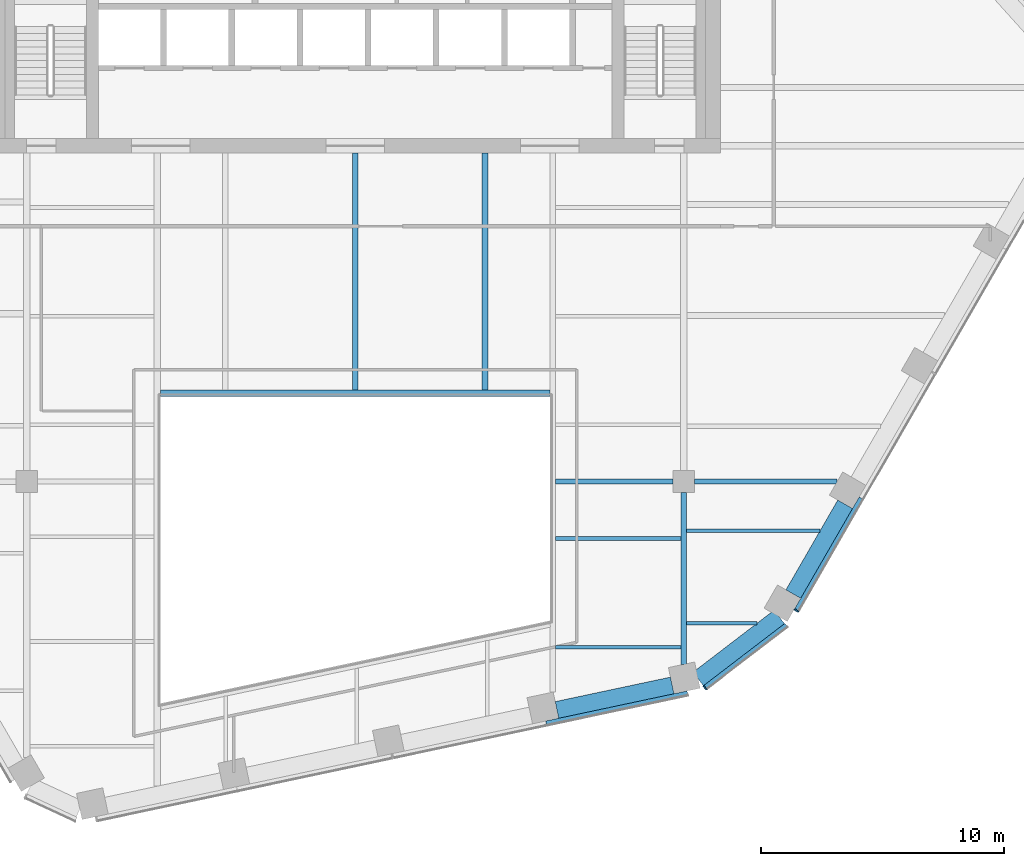
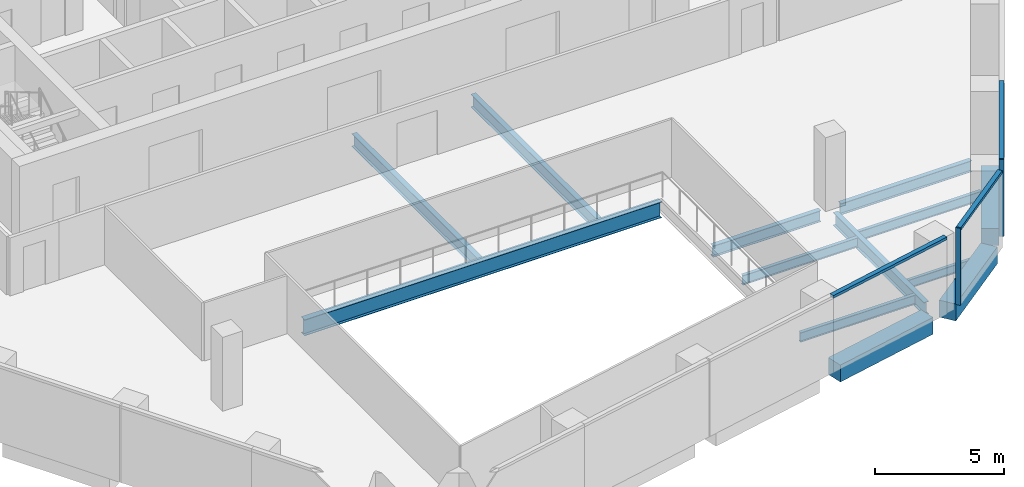
# One storey, part 4 of 15: 13 beams, 5 members, 3 elements without a shape of their own.
"""IFC4 building model written with IfcOpenShell, lengths in metres."""

from ifc_helpers import new_model, si_unit, direction, frame, origin, origin_2d, place, context, subcontext, project, spatial, rectangle, i_section, extrude, material, layer, layer_set, material_profile, profile_set, type_object, element, aggregate, save


model = new_model("IFC4")

# Units and contexts
model_context = context("Model", 3, precision=1e-05, world=origin(), true_north=direction((0.0, 1.0)))
body_context = subcontext(model_context, "Body", "Model", "MODEL_VIEW")
ifc_project = project(units=[si_unit("LENGTHUNIT", "METRE"), si_unit("AREAUNIT", "SQUARE_METRE"), si_unit("VOLUMEUNIT", "CUBIC_METRE"), si_unit("PLANEANGLEUNIT", "RADIAN"), si_unit("MASSUNIT", "GRAM", prefix="KILO")], contexts=[model_context])

# Site, building, storey
site_placement = place(None, origin())
site = spatial("IfcSite", under=ifc_project, at=site_placement, CompositionType="ELEMENT")
building_placement = place(site_placement, origin())
building = spatial("IfcBuilding", under=site, at=building_placement, Name="Isthmus Gate Tower", CompositionType="ELEMENT")
storey_placement = place(building_placement, frame((0.0, 0.0, 227.25)))
storey = spatial("IfcBuildingStorey", under=building, at=storey_placement, Name="L57", CompositionType="ELEMENT", Elevation=227.25)

# Curtain wall, member
ifc_material_1 = material(Name="Aluminium, pale champagne anodised", Category="aluminium")
ifc_layer = layer(ifc_material_1, 0.199951171875)
ifc_layer_set = layer_set([ifc_layer], Name="CW-1 UNITISED CURTAIN WALL 200 DEEP")
curtain_wall_type = type_object("IfcCurtainWallType", Name="CW-1 UNITISED CURTAIN WALL 200 DEEP", PredefinedType="NOTDEFINED", material=ifc_layer_set)
curtain_wall_1_placement = place(storey_placement, origin())
curtain_wall_1 = element("IfcCurtainWall", 1, at=curtain_wall_1_placement, inside=storey, type_object=curtain_wall_type, Name="CW-1 S-SE L57", PredefinedType="NOTDEFINED")
ifc_material_2 = material(Name="Aluminium, pale champagne anodised", Category="aluminium")
ifc_material_profile_1 = material_profile(ifc_material_2, rectangle(XDim=0.06005859375, YDim=0.199951171875, at=origin_2d()), Name="60x200")
ifc_profile_set_1 = profile_set([ifc_material_profile_1], Name="Aluminium, pale champagne anodised")
member_type_1 = type_object("IfcMemberType", Name="CW-1 MULLION 60 X 200", PredefinedType="MULLION", material=ifc_profile_set_1)
member_1_placement = place(storey_placement, frame((14.3720703125, -21.961669921875, 0.0), z_axis=(0.0, 0.0, 1.0), x_axis=(0.794188594387, 0.607671355706, 0.0)))
member_1 = element("IfcMember", 2, at=member_1_placement, type_object=member_type_1, Name="CW-1 mullion", PredefinedType="MULLION", context=body_context, shape_type="SweptSolid", body=[
    extrude(rectangle(XDim=0.06005859375, YDim=0.199951171875, at=origin_2d()), origin(), (0.0, 0.0, 1.0), 3.64990234375),
])

curtain_wall_2_placement = place(storey_placement, origin())
curtain_wall_2 = element("IfcCurtainWall", 3, at=curtain_wall_2_placement, inside=storey, type_object=curtain_wall_type, Name="CW-1 SE L57", PredefinedType="NOTDEFINED")
member_2_placement = place(storey_placement, frame((18.131591796875, -18.794921875, 0.0), z_axis=(0.0, 0.0, 1.0), x_axis=(0.5, 0.866025403784, 0.0)))
member_2 = element("IfcMember", 4, at=member_2_placement, type_object=member_type_1, Name="CW-1 mullion", PredefinedType="MULLION", context=body_context, shape_type="SweptSolid", body=[
    extrude(rectangle(XDim=0.06005859375, YDim=0.199951171875, at=origin_2d()), origin(), (0.0, 0.0, 1.0), 3.64990234375),
])

curtain_wall_3_placement = place(storey_placement, origin())
curtain_wall_3 = element("IfcCurtainWall", 5, at=curtain_wall_3_placement, inside=storey, type_object=curtain_wall_type, Name="CW-1 S L57", PredefinedType="NOTDEFINED")
ifc_material_3 = material(Name="Aluminium, pale champagne anodised", Category="aluminium")
ifc_material_profile_2 = material_profile(ifc_material_3, rectangle(XDim=0.199951171875, YDim=0.1298828125, at=origin_2d()), Name="200x130")
ifc_profile_set_2 = profile_set([ifc_material_profile_2], Name="Aluminium, pale champagne anodised")
member_type_2 = type_object("IfcMemberType", Name="CW-1 TRANSOM 200 X 130", PredefinedType="USERDEFINED", material=ifc_profile_set_2)
member_3_placement = place(storey_placement, frame((7.844970703125, -23.434814453125, 3.5849609375), z_axis=(0.978148616043, 0.207906914105, 0.0), x_axis=(-0.207906914105, 0.978148616043, 0.0)))
member_3 = element("IfcMember", 6, at=member_3_placement, type_object=member_type_2, Name="CW-1 transom", ObjectType="TRANSOM", PredefinedType="USERDEFINED", context=body_context, shape_type="SweptSolid", body=[
    extrude(rectangle(XDim=0.199951171875, YDim=0.1298828125, at=origin_2d()), origin(), (0.0, 0.0, 1.0), 5.94189453125),
])
aggregate(curtain_wall_3, [member_3])

# Member
member_4_placement = place(storey_placement, frame((14.39599609375, -21.943603515625, 3.5849609375), z_axis=(0.794175498212, 0.607688471209, 0.0), x_axis=(-0.607688471209, 0.794175498212, 0.0)))
member_4 = element("IfcMember", 7, at=member_4_placement, type_object=member_type_2, Name="CW-1 transom", ObjectType="TRANSOM", PredefinedType="USERDEFINED", context=body_context, shape_type="SweptSolid", body=[
    extrude(rectangle(XDim=0.199951171875, YDim=0.1298828125, at=origin_2d()), origin(), (0.0, 0.0, 1.0), 4.181396484375),
])

aggregate(curtain_wall_1, [member_1, member_4])

member_5_placement = place(storey_placement, frame((18.146728515625, -18.76904296875, 3.5849609375), z_axis=(0.499968318869, 0.866043694121, 0.0), x_axis=(-0.866043694121, 0.499968318869, 0.0)))
member_5 = element("IfcMember", 8, at=member_5_placement, type_object=member_type_2, Name="CW-1 transom", ObjectType="TRANSOM", PredefinedType="USERDEFINED", context=body_context, shape_type="SweptSolid", body=[
    extrude(rectangle(XDim=0.199951171875, YDim=0.1298828125, at=origin_2d()), origin(), (0.0, 0.0, 1.0), 5.300537109375),
])

aggregate(curtain_wall_2, [member_2, member_5])

# Beams
ifc_material_4 = material(Name="Concrete f'c 50 MPa", Category="concrete")
ifc_material_profile_3 = material_profile(ifc_material_4, rectangle(XDim=0.699951171875, YDim=0.800048828125, at=origin_2d()), Name="RC 700X800")
ifc_profile_set_3 = profile_set([ifc_material_profile_3], Name="Concrete f'c 50 MPa")
beam_type_1 = type_object("IfcBeamType", Name="RC SPANDREL 700 X 800", PredefinedType="SPANDREL", material=ifc_profile_set_3)
beam_1_placement = place(storey_placement, frame((20.13232421875, -14.429931640625, -0.39990234375), z_axis=(-0.500021719575, -0.866012863619, 0.0), x_axis=(0.866012863619, -0.500021719575, 0.0)))
element("IfcBeam", 9, at=beam_1_placement, inside=storey, type_object=beam_type_1, Name="str-spandrel-L57-09", PredefinedType="SPANDREL", context=body_context, shape_type="SweptSolid", body=[
    extrude(rectangle(XDim=0.699951171875, YDim=0.800048828125, at=origin_2d()), origin(), (0.0, 0.0, 1.0), 4.260498046875),
])
beam_2_placement = place(storey_placement, frame((17.4267578125, -19.057861328125, -0.39990234375), z_axis=(-0.794182771845, -0.60767896533, 0.0), x_axis=(0.60767896533, -0.794182771845, 0.0)))
element("IfcBeam", 10, at=beam_2_placement, inside=storey, type_object=beam_type_1, Name="str-spandrel-L57-10", PredefinedType="SPANDREL", context=body_context, shape_type="SweptSolid", body=[
    extrude(rectangle(XDim=0.699951171875, YDim=0.800048828125, at=origin_2d()), origin(), (0.0, 0.0, 1.0), 4.19677734375),
])
beam_3_placement = place(storey_placement, frame((13.025390625, -21.87353515625, -0.39990234375), z_axis=(-0.978151545833, -0.207893129722, 0.0), x_axis=(0.207893129722, -0.978151545833, 0.0)))
element("IfcBeam", 11, at=beam_3_placement, inside=storey, type_object=beam_type_1, Name="str-spandrel-L57-11", PredefinedType="SPANDREL", context=body_context, shape_type="SweptSolid", body=[
    extrude(rectangle(XDim=0.699951171875, YDim=0.800048828125, at=origin_2d()), origin(), (0.0, 0.0, 1.0), 4.841796875),
])
ifc_material_5 = material(Name="Structural steel ASTM A992 Gr 50", Category="steel")
ifc_material_profile_4 = material_profile(ifc_material_5, i_section(OverallWidth=0.1396484375, OverallDepth=0.4033203125, WebThickness=0.00634765625, FlangeThickness=0.010986328125, at=origin_2d()), Name="W16X31")
ifc_profile_set_4 = profile_set([ifc_material_profile_4], Name="Structural steel ASTM A992 Gr 50")
beam_type_2 = type_object("IfcBeamType", Name="STEEL FLOOR BEAM W16X31", PredefinedType="JOIST", material=ifc_profile_set_4)
beam_4_placement = place(storey_placement, frame((13.6142578125, -19.322998046875, -0.3515625), z_axis=(1.0, 0.0, 0.0), x_axis=(0.0, 1.0, 0.0)))
element("IfcBeam", 12, at=beam_4_placement, inside=storey, type_object=beam_type_2, Name="str-beam-L57-11-00", PredefinedType="JOIST", context=body_context, shape_type="SweptSolid", body=[
    extrude(i_section(OverallWidth=0.1396484375, OverallDepth=0.4033203125, WebThickness=0.00634765625, FlangeThickness=0.010986328125, at=origin_2d()), origin(), (0.0, 0.0, 1.0), 2.889892578125),
])
ifc_material_6 = material(Name="Structural steel ASTM A992 Gr 50", Category="steel")
ifc_material_profile_5 = material_profile(ifc_material_6, i_section(OverallWidth=0.15234375, OverallDepth=0.45068359375, WebThickness=0.0078125, FlangeThickness=0.010986328125, at=origin_2d()), Name="W18X35")
ifc_profile_set_5 = profile_set([ifc_material_profile_5], Name="Structural steel ASTM A992 Gr 50")
beam_type_3 = type_object("IfcBeamType", Name="STEEL FLOOR BEAM W18X35", PredefinedType="JOIST", material=ifc_profile_set_5)
for number, where, z_axis, x_axis, name in (
    (13, (8.228515625, -20.3046875, -0.37548828125), (1.0, 0.0, 0.0), (0.0, 1.0, 0.0), "str-beam-L57-09-00"),
    (14, (8.228515625, -15.838134765625, -0.37548828125), (1.0, 0.0, 0.0), (0.0, 1.0, 0.0), "str-beam-L57-09-01"),
):
    element("IfcBeam", number, at=place(storey_placement, frame(where, z_axis=z_axis, x_axis=x_axis)), inside=storey, type_object=beam_type_3, Name=name, PredefinedType="JOIST", context=body_context, shape_type="SweptSolid", body=[
        extrude(i_section(OverallWidth=0.15234375, OverallDepth=0.45068359375, WebThickness=0.0078125, FlangeThickness=0.010986328125, at=origin_2d()), origin(), (0.0, 0.0, 1.0), 5.1572265625),
    ])
beam_5_placement = place(storey_placement, frame((13.6142578125, -15.5107421875, -0.37548828125), z_axis=(1.0, 0.0, 0.0), x_axis=(0.0, 1.0, 0.0)))
element("IfcBeam", 15, at=beam_5_placement, inside=storey, type_object=beam_type_3, Name="str-beam-L57-11-01", PredefinedType="JOIST", context=body_context, shape_type="SweptSolid", body=[
    extrude(i_section(OverallWidth=0.15234375, OverallDepth=0.45068359375, WebThickness=0.0078125, FlangeThickness=0.010986328125, at=origin_2d()), origin(), (0.0, 0.0, 1.0), 5.48974609375),
])
ifc_material_7 = material(Name="Structural steel ASTM A992 Gr 50", Category="steel")
ifc_material_profile_6 = material_profile(ifc_material_7, i_section(OverallWidth=0.228515625, OverallDepth=0.603271484375, WebThickness=0.010986328125, FlangeThickness=0.014404296875, at=origin_2d()), Name="W24X68")
ifc_profile_set_6 = profile_set([ifc_material_profile_6], Name="Structural steel ASTM A992 Gr 50")
beam_type_4 = type_object("IfcBeamType", Name="STEEL FLOOR BEAM W24X68", PredefinedType="JOIST", material=ifc_profile_set_6)
for number, where, z_axis, x_axis, name in (
    (16, (0.0, -9.7333984375, -0.45166015625), (0.0, 1.0, 0.0), (-1.0, 0.0, 0.0), "str-beam-L57-07-01"),
    (17, (5.333251953125, -9.7333984375, -0.45166015625), (0.0, 1.0, 0.0), (-1.0, 0.0, 0.0), "str-beam-L57-07-02"),
):
    element("IfcBeam", number, at=place(storey_placement, frame(where, z_axis=z_axis, x_axis=x_axis)), inside=storey, type_object=beam_type_4, Name=name, PredefinedType="JOIST", context=body_context, shape_type="SweptSolid", body=[
        extrude(i_section(OverallWidth=0.228515625, OverallDepth=0.603271484375, WebThickness=0.010986328125, FlangeThickness=0.014404296875, at=origin_2d()), origin(), (0.0, 0.0, 1.0), 9.7333984375),
    ])
ifc_material_8 = material(Name="Structural steel ASTM A992 Gr 50", Category="steel")
ifc_material_profile_7 = material_profile(ifc_material_8, i_section(OverallWidth=0.20947265625, OverallDepth=0.533447265625, WebThickness=0.009521484375, FlangeThickness=0.015869140625, at=origin_2d()), Name="W21X62")
ifc_profile_set_7 = profile_set([ifc_material_profile_7], Name="Structural steel ASTM A992 Gr 50")
beam_type_5 = type_object("IfcBeamType", Name="STEEL GIRDER W21X62", PredefinedType="BEAM", material=ifc_profile_set_7)
beam_6_placement = place(storey_placement, frame((8.228515625, -13.5, -0.416748046875), z_axis=(1.0, 0.0, 0.0), x_axis=(0.0, 1.0, 0.0)))
element("IfcBeam", 18, at=beam_6_placement, inside=storey, type_object=beam_type_5, Name="str-girder-L57-03", PredefinedType="BEAM", context=body_context, shape_type="SweptSolid", body=[
    extrude(i_section(OverallWidth=0.20947265625, OverallDepth=0.533447265625, WebThickness=0.009521484375, FlangeThickness=0.015869140625, at=origin_2d()), origin(), (0.0, 0.0, 1.0), 4.821533203125),
])
beam_7_placement = place(storey_placement, frame((13.949951171875, -13.5, -0.416748046875), z_axis=(1.0, 0.0, 0.0), x_axis=(0.0, 1.0, 0.0)))
element("IfcBeam", 19, at=beam_7_placement, inside=storey, type_object=beam_type_5, Name="str-girder-L57-04", PredefinedType="BEAM", context=body_context, shape_type="SweptSolid", body=[
    extrude(i_section(OverallWidth=0.20947265625, OverallDepth=0.533447265625, WebThickness=0.009521484375, FlangeThickness=0.015869140625, at=origin_2d()), origin(), (0.0, 0.0, 1.0), 5.853271484375),
])
ifc_material_9 = material(Name="Structural steel ASTM A992 Gr 50", Category="steel")
ifc_material_profile_8 = material_profile(ifc_material_9, i_section(OverallWidth=0.228515625, OverallDepth=0.603271484375, WebThickness=0.010986328125, FlangeThickness=0.014404296875, at=origin_2d()), Name="W24X68")
ifc_profile_set_8 = profile_set([ifc_material_profile_8], Name="Structural steel ASTM A992 Gr 50")
beam_type_6 = type_object("IfcBeamType", Name="STEEL GIRDER W24X68", PredefinedType="BEAM", material=ifc_profile_set_8)
beam_8_placement = place(storey_placement, frame((13.5, -21.005859375, -0.45166015625), z_axis=(0.0, 1.0, 0.0), x_axis=(-1.0, 0.0, 0.0)))
element("IfcBeam", 20, at=beam_8_placement, inside=storey, type_object=beam_type_6, Name="str-girder-L57-07", PredefinedType="BEAM", context=body_context, shape_type="SweptSolid", body=[
    extrude(i_section(OverallWidth=0.228515625, OverallDepth=0.603271484375, WebThickness=0.010986328125, FlangeThickness=0.014404296875, at=origin_2d()), origin(), (0.0, 0.0, 1.0), 7.055908203125),
])
ifc_material_10 = material(Name="Structural steel ASTM A992 Gr 50", Category="steel")
ifc_material_profile_9 = material_profile(ifc_material_10, i_section(OverallWidth=0.2666015625, OverallDepth=0.7587890625, WebThickness=0.014404296875, FlangeThickness=0.01904296875, at=origin_2d()), Name="W30X108")
ifc_profile_set_9 = profile_set([ifc_material_profile_9], Name="Structural steel ASTM A992 Gr 50")
beam_type_7 = type_object("IfcBeamType", Name="STEEL TRIMMER W30X108", PredefinedType="BEAM", material=ifc_profile_set_9)
beam_9_placement = place(storey_placement, frame((8.0, -9.86669921875, -0.529296875), z_axis=(-1.0, 0.0, 0.0), x_axis=(0.0, -1.0, 0.0)))
element("IfcBeam", 21, at=beam_9_placement, inside=storey, type_object=beam_type_7, Name="str-trimmer-L57-04", PredefinedType="BEAM", context=body_context, shape_type="SweptSolid", body=[
    extrude(i_section(OverallWidth=0.2666015625, OverallDepth=0.7587890625, WebThickness=0.014404296875, FlangeThickness=0.01904296875, at=origin_2d()), origin(), (0.0, 0.0, 1.0), 16.0),
])

save(model, "model.ifc")
